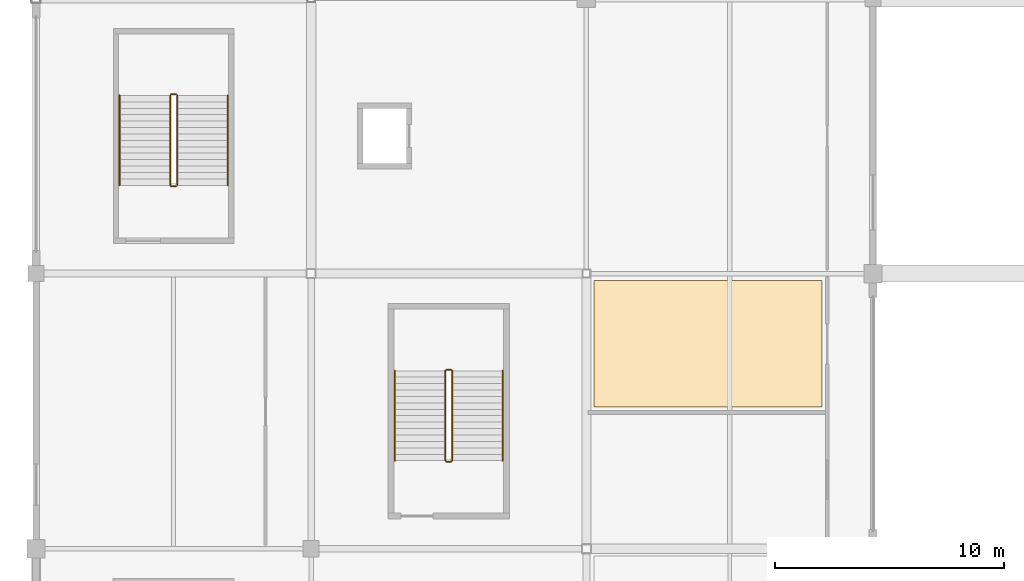
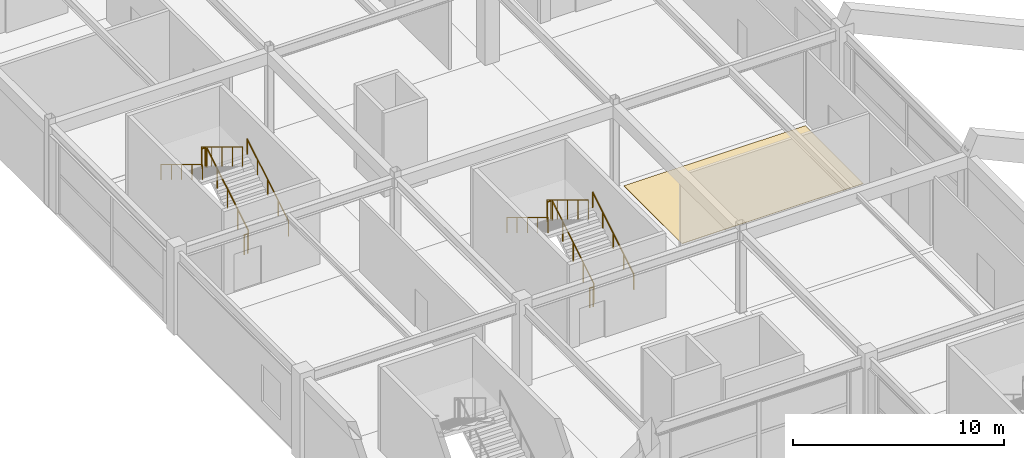
# One storey, part 106 of 128: 12 railings, 1 covering.
"""IFC4 building model written with IfcOpenShell, lengths in metres."""

from ifc_helpers import new_model, si_unit, direction, frame, origin, origin_2d, place, context, subcontext, project, spatial, polyline, circle, outline, extrude, material, layer, layer_set, type_object, element, save


model = new_model("IFC4")

# Units and contexts
model_context = context("Model", 3, precision=1e-05, world=origin(), true_north=direction((0.0, 1.0)))
body_context = subcontext(model_context, "Body", "Model", "MODEL_VIEW")
ifc_project = project(units=[si_unit("LENGTHUNIT", "METRE"), si_unit("AREAUNIT", "SQUARE_METRE"), si_unit("VOLUMEUNIT", "CUBIC_METRE"), si_unit("PLANEANGLEUNIT", "RADIAN"), si_unit("MASSUNIT", "GRAM", prefix="KILO")], contexts=[model_context])

# Site, building, storey
site_placement = place(None, origin())
site = spatial("IfcSite", under=ifc_project, at=site_placement, CompositionType="ELEMENT")
building_placement = place(site_placement, origin())
building = spatial("IfcBuilding", under=site, at=building_placement, Name="Kazenohara Klinker Stadium", CompositionType="ELEMENT")
storey_placement = place(building_placement, frame((0.0, 0.0, 15.300048828125)))
storey = spatial("IfcBuildingStorey", under=building, at=storey_placement, Name="L03", CompositionType="ELEMENT", Elevation=15.300048828125)

# Covering
ifc_material_1 = material(Name="Slip-resistant honed basalt terrazzo flooring", Category="masonry")
ifc_layer_1 = layer(ifc_material_1, 0.02001953125)
ifc_layer_set_1 = layer_set([ifc_layer_1], Name="Slip-resistant honed basalt terrazzo flooring")
covering_type = type_object("IfcCoveringType", Name="COV-FLR-01", PredefinedType="FLOORING", material=ifc_layer_set_1)
covering_placement = place(storey_placement, origin())
element("IfcCovering", 1, at=covering_placement, inside=storey, type_object=covering_type, Name="Interior floor finish FL01 Upper Concourse Hot Beverage Bistro L03-0204B", PredefinedType="FLOORING", context=body_context, shape_type="SweptSolid", body=[
    extrude(outline(polyline([(24.330078125, 54.171630859375), (34.27001953125, 54.171630859375), (34.27001953125, 59.68994140625), (24.330078125, 59.68994140625), (24.330078125, 54.171630859375)])), origin(), (0.0, 0.0, 1.0), 0.02001953125),
])

# Railings
ifc_material_2 = material(Name="Brushed stainless steel 304 handrail", Category="steel")
ifc_layer_2 = layer(ifc_material_2, 0.050048828125)
ifc_layer_set_2 = layer_set([ifc_layer_2], Name="Brushed stainless steel 304 handrail")
railing_type_1 = type_object("IfcRailingType", Name="RL-HND-900", PredefinedType="HANDRAIL", material=ifc_layer_set_2)
railing_1_placement = place(storey_placement, frame((8.360107421875, 63.85009765625, 0.169921875)))
element("IfcRailing", 2, at=railing_1_placement, inside=storey, type_object=railing_type_1, Name="L03 ST02 stair handrail 1", PredefinedType="HANDRAIL", context=body_context, shape_type="SweptSolid", body=[
    extrude(circle(Radius=0.02392578125, at=origin_2d()), frame((0.0, 0.0, 0.8759765625), z_axis=(0.0, 0.854770645689, 0.519005918337), x_axis=(-1.0, 0.0, 0.0)), (0.0, 0.0, 1.0), 4.5859375),
    extrude(circle(Radius=0.02099609375, at=origin_2d()), origin(), (0.0, 0.0, 1.0), 0.851806640625),
    extrude(circle(Radius=0.02099609375, at=origin_2d()), frame((0.0, 0.97998046875, 0.594970703125)), (0.0, 0.0, 1.0), 0.851806640625),
    extrude(circle(Radius=0.02099609375, at=origin_2d()), frame((0.0, 1.9599609375, 1.18994140625)), (0.0, 0.0, 1.0), 0.851806640625),
    extrude(circle(Radius=0.02099609375, at=origin_2d()), frame((0.0, 2.93994140625, 1.78515625)), (0.0, 0.0, 1.0), 0.851806640625),
    extrude(circle(Radius=0.02099609375, at=origin_2d()), frame((0.0, 3.919921875, 2.380126953125)), (0.0, 0.0, 1.0), 0.851806640625),
])
railing_2_placement = place(storey_placement, frame((3.639892578125, 67.77001953125, 2.719970703125)))
element("IfcRailing", 3, at=railing_2_placement, inside=storey, type_object=railing_type_1, Name="L03 ST02 stair handrail 2", PredefinedType="HANDRAIL", context=body_context, shape_type="SweptSolid", body=[
    extrude(circle(Radius=0.02392578125, at=origin_2d()), frame((0.0, 0.0, 0.8759765625), z_axis=(0.0, -0.854794262968, 0.518967020143), x_axis=(1.0, 0.0, 0.0)), (0.0, 0.0, 1.0), 4.585693359375),
    extrude(circle(Radius=0.02099609375, at=origin_2d()), origin(), (0.0, 0.0, 1.0), 0.851806640625),
    extrude(circle(Radius=0.02099609375, at=origin_2d()), frame((0.0, -0.97998046875, 0.594970703125)), (0.0, 0.0, 1.0), 0.851806640625),
    extrude(circle(Radius=0.02099609375, at=origin_2d()), frame((0.0, -1.9599609375, 1.18994140625)), (0.0, 0.0, 1.0), 0.851806640625),
    extrude(circle(Radius=0.02099609375, at=origin_2d()), frame((0.0, -2.93994140625, 1.784912109375)), (0.0, 0.0, 1.0), 0.851806640625),
    extrude(circle(Radius=0.02099609375, at=origin_2d()), frame((0.0, -3.919921875, 2.3798828125)), (0.0, 0.0, 1.0), 0.851806640625),
])
railing_3_placement = place(storey_placement, frame((20.35009765625, 51.840087890625, 0.169921875)))
element("IfcRailing", 4, at=railing_3_placement, inside=storey, type_object=railing_type_1, Name="L03 ST13 stair handrail 1", PredefinedType="HANDRAIL", context=body_context, shape_type="SweptSolid", body=[
    extrude(circle(Radius=0.02392578125, at=origin_2d()), frame((0.0, 0.0, 0.8759765625), z_axis=(0.0, 0.854770645689, 0.519005918337), x_axis=(-1.0, 0.0, 0.0)), (0.0, 0.0, 1.0), 4.5859375),
    extrude(circle(Radius=0.02099609375, at=origin_2d()), origin(), (0.0, 0.0, 1.0), 0.851806640625),
    extrude(circle(Radius=0.02099609375, at=origin_2d()), frame((0.0, 0.97998046875, 0.594970703125)), (0.0, 0.0, 1.0), 0.851806640625),
    extrude(circle(Radius=0.02099609375, at=origin_2d()), frame((0.0, 1.9599609375, 1.18994140625)), (0.0, 0.0, 1.0), 0.851806640625),
    extrude(circle(Radius=0.02099609375, at=origin_2d()), frame((0.0, 2.93994140625, 1.78515625)), (0.0, 0.0, 1.0), 0.851806640625),
    extrude(circle(Radius=0.02099609375, at=origin_2d()), frame((0.0, 3.919921875, 2.380126953125)), (0.0, 0.0, 1.0), 0.851806640625),
])
railing_4_placement = place(storey_placement, frame((15.64990234375, 55.760009765625, 2.719970703125)))
element("IfcRailing", 5, at=railing_4_placement, inside=storey, type_object=railing_type_1, Name="L03 ST13 stair handrail 2", PredefinedType="HANDRAIL", context=body_context, shape_type="SweptSolid", body=[
    extrude(circle(Radius=0.02392578125, at=origin_2d()), frame((0.0, 0.0, 0.8759765625), z_axis=(0.0, -0.854794262968, 0.518967020143), x_axis=(1.0, 0.0, 0.0)), (0.0, 0.0, 1.0), 4.585693359375),
    extrude(circle(Radius=0.02099609375, at=origin_2d()), origin(), (0.0, 0.0, 1.0), 0.851806640625),
    extrude(circle(Radius=0.02099609375, at=origin_2d()), frame((0.0, -0.97998046875, 0.594970703125)), (0.0, 0.0, 1.0), 0.851806640625),
    extrude(circle(Radius=0.02099609375, at=origin_2d()), frame((0.0, -1.9599609375, 1.18994140625)), (0.0, 0.0, 1.0), 0.851806640625),
    extrude(circle(Radius=0.02099609375, at=origin_2d()), frame((0.0, -2.93994140625, 1.784912109375)), (0.0, 0.0, 1.0), 0.851806640625),
    extrude(circle(Radius=0.02099609375, at=origin_2d()), frame((0.0, -3.919921875, 2.3798828125)), (0.0, 0.0, 1.0), 0.851806640625),
])
ifc_material_3 = material(Name="Painted steel stairwell guardrail", Category="steel")
ifc_layer_3 = layer(ifc_material_3, 0.06005859375)
ifc_layer_set_3 = layer_set([ifc_layer_3], Name="Painted steel stairwell guardrail")
railing_type_2 = type_object("IfcRailingType", Name="RL-STG-1120", PredefinedType="GUARDRAIL", material=ifc_layer_set_3)
railing_5_placement = place(storey_placement, frame((6.14990234375, 63.85009765625, 0.169921875)))
element("IfcRailing", 6, at=railing_5_placement, inside=storey, type_object=railing_type_2, Name="L03 ST02 stair guard 1", PredefinedType="GUARDRAIL", context=body_context, shape_type="SweptSolid", body=[
    extrude(circle(Radius=0.02392578125, at=origin_2d()), frame((0.0, 0.0, 1.1259765625), z_axis=(0.0, 0.854770645689, 0.519005918337), x_axis=(-1.0, 0.0, 0.0)), (0.0, 0.0, 1.0), 4.5859375),
    extrude(circle(Radius=0.02099609375, at=origin_2d()), origin(), (0.0, 0.0, 1.0), 1.101806640625),
    extrude(circle(Radius=0.02099609375, at=origin_2d()), frame((0.0, 0.97998046875, 0.594970703125)), (0.0, 0.0, 1.0), 1.101806640625),
    extrude(circle(Radius=0.02099609375, at=origin_2d()), frame((0.0, 1.9599609375, 1.18994140625)), (0.0, 0.0, 1.0), 1.101806640625),
    extrude(circle(Radius=0.02099609375, at=origin_2d()), frame((0.0, 2.93994140625, 1.78515625)), (0.0, 0.0, 1.0), 1.101806640625),
    extrude(circle(Radius=0.02099609375, at=origin_2d()), frame((0.0, 3.919921875, 2.380126953125)), (0.0, 0.0, 1.0), 1.101806640625),
])
railing_6_placement = place(storey_placement, frame((6.10009765625, 67.820068359375, 2.550048828125)))
element("IfcRailing", 7, at=railing_6_placement, inside=storey, type_object=railing_type_2, Name="L03 ST02 stair guard 2", PredefinedType="GUARDRAIL", context=body_context, shape_type="SweptSolid", body=[
    extrude(circle(Radius=0.02392578125, at=origin_2d()), frame((0.0, 0.0, 1.1259765625), z_axis=(-1.0, 0.0, 0.0), x_axis=(0.0, -1.0, 0.0)), (0.0, 0.0, 1.0), 0.2001953125),
    extrude(circle(Radius=0.02099609375, at=origin_2d()), origin(), (0.0, 0.0, 1.0), 1.101806640625),
    extrude(circle(Radius=0.02099609375, at=origin_2d()), frame((-0.2001953125, 0.0, 0.0)), (0.0, 0.0, 1.0), 1.101806640625),
])
railing_7_placement = place(storey_placement, frame((5.85009765625, 67.77001953125, 2.719970703125)))
element("IfcRailing", 8, at=railing_7_placement, inside=storey, type_object=railing_type_2, Name="L03 ST02 stair guard 3", PredefinedType="GUARDRAIL", context=body_context, shape_type="SweptSolid", body=[
    extrude(circle(Radius=0.02392578125, at=origin_2d()), frame((0.0, 0.0, 1.1259765625), z_axis=(0.0, -0.854794262968, 0.518967020143), x_axis=(1.0, 0.0, 0.0)), (0.0, 0.0, 1.0), 4.585693359375),
    extrude(circle(Radius=0.02099609375, at=origin_2d()), origin(), (0.0, 0.0, 1.0), 1.101806640625),
    extrude(circle(Radius=0.02099609375, at=origin_2d()), frame((0.0, -0.97998046875, 0.594970703125)), (0.0, 0.0, 1.0), 1.101806640625),
    extrude(circle(Radius=0.02099609375, at=origin_2d()), frame((0.0, -1.9599609375, 1.18994140625)), (0.0, 0.0, 1.0), 1.101806640625),
    extrude(circle(Radius=0.02099609375, at=origin_2d()), frame((0.0, -2.93994140625, 1.784912109375)), (0.0, 0.0, 1.0), 1.101806640625),
    extrude(circle(Radius=0.02099609375, at=origin_2d()), frame((0.0, -3.919921875, 2.3798828125)), (0.0, 0.0, 1.0), 1.101806640625),
])
railing_8_placement = place(storey_placement, frame((6.10009765625, 63.800048828125, 0.0)))
element("IfcRailing", 9, at=railing_8_placement, inside=storey, type_object=railing_type_2, Name="L03 ST02 stair guard 4", PredefinedType="GUARDRAIL", context=body_context, shape_type="SweptSolid", body=[
    extrude(circle(Radius=0.02392578125, at=origin_2d()), frame((0.0, 0.0, 1.1259765625), z_axis=(-1.0, 0.0, 0.0), x_axis=(0.0, -1.0, 0.0)), (0.0, 0.0, 1.0), 0.2001953125),
    extrude(circle(Radius=0.02099609375, at=origin_2d()), origin(), (0.0, 0.0, 1.0), 1.101806640625),
    extrude(circle(Radius=0.02099609375, at=origin_2d()), frame((-0.2001953125, 0.0, 0.0)), (0.0, 0.0, 1.0), 1.101806640625),
])
railing_9_placement = place(storey_placement, frame((18.14990234375, 51.840087890625, 0.169921875)))
element("IfcRailing", 10, at=railing_9_placement, inside=storey, type_object=railing_type_2, Name="L03 ST13 stair guard 1", PredefinedType="GUARDRAIL", context=body_context, shape_type="SweptSolid", body=[
    extrude(circle(Radius=0.02392578125, at=origin_2d()), frame((0.0, 0.0, 1.1259765625), z_axis=(0.0, 0.854770645689, 0.519005918337), x_axis=(-1.0, 0.0, 0.0)), (0.0, 0.0, 1.0), 4.5859375),
    extrude(circle(Radius=0.02099609375, at=origin_2d()), origin(), (0.0, 0.0, 1.0), 1.101806640625),
    extrude(circle(Radius=0.02099609375, at=origin_2d()), frame((0.0, 0.97998046875, 0.594970703125)), (0.0, 0.0, 1.0), 1.101806640625),
    extrude(circle(Radius=0.02099609375, at=origin_2d()), frame((0.0, 1.9599609375, 1.18994140625)), (0.0, 0.0, 1.0), 1.101806640625),
    extrude(circle(Radius=0.02099609375, at=origin_2d()), frame((0.0, 2.93994140625, 1.78515625)), (0.0, 0.0, 1.0), 1.101806640625),
    extrude(circle(Radius=0.02099609375, at=origin_2d()), frame((0.0, 3.919921875, 2.380126953125)), (0.0, 0.0, 1.0), 1.101806640625),
])
railing_10_placement = place(storey_placement, frame((18.10009765625, 55.81005859375, 2.550048828125)))
element("IfcRailing", 11, at=railing_10_placement, inside=storey, type_object=railing_type_2, Name="L03 ST13 stair guard 2", PredefinedType="GUARDRAIL", context=body_context, shape_type="SweptSolid", body=[
    extrude(circle(Radius=0.02392578125, at=origin_2d()), frame((0.0, 0.0, 1.1259765625), z_axis=(-1.0, 0.0, 0.0), x_axis=(0.0, -1.0, 0.0)), (0.0, 0.0, 1.0), 0.2001953125),
    extrude(circle(Radius=0.02099609375, at=origin_2d()), origin(), (0.0, 0.0, 1.0), 1.101806640625),
    extrude(circle(Radius=0.02099609375, at=origin_2d()), frame((-0.2001953125, 0.0, 0.0)), (0.0, 0.0, 1.0), 1.101806640625),
])
railing_11_placement = place(storey_placement, frame((17.85009765625, 55.760009765625, 2.719970703125)))
element("IfcRailing", 12, at=railing_11_placement, inside=storey, type_object=railing_type_2, Name="L03 ST13 stair guard 3", PredefinedType="GUARDRAIL", context=body_context, shape_type="SweptSolid", body=[
    extrude(circle(Radius=0.02392578125, at=origin_2d()), frame((0.0, 0.0, 1.1259765625), z_axis=(0.0, -0.854794262968, 0.518967020143), x_axis=(1.0, 0.0, 0.0)), (0.0, 0.0, 1.0), 4.585693359375),
    extrude(circle(Radius=0.02099609375, at=origin_2d()), origin(), (0.0, 0.0, 1.0), 1.101806640625),
    extrude(circle(Radius=0.02099609375, at=origin_2d()), frame((0.0, -0.97998046875, 0.594970703125)), (0.0, 0.0, 1.0), 1.101806640625),
    extrude(circle(Radius=0.02099609375, at=origin_2d()), frame((0.0, -1.9599609375, 1.18994140625)), (0.0, 0.0, 1.0), 1.101806640625),
    extrude(circle(Radius=0.02099609375, at=origin_2d()), frame((0.0, -2.93994140625, 1.784912109375)), (0.0, 0.0, 1.0), 1.101806640625),
    extrude(circle(Radius=0.02099609375, at=origin_2d()), frame((0.0, -3.919921875, 2.3798828125)), (0.0, 0.0, 1.0), 1.101806640625),
])
railing_12_placement = place(storey_placement, frame((18.10009765625, 51.7900390625, 0.0)))
element("IfcRailing", 13, at=railing_12_placement, inside=storey, type_object=railing_type_2, Name="L03 ST13 stair guard 4", PredefinedType="GUARDRAIL", context=body_context, shape_type="SweptSolid", body=[
    extrude(circle(Radius=0.02392578125, at=origin_2d()), frame((0.0, 0.0, 1.1259765625), z_axis=(-1.0, 0.0, 0.0), x_axis=(0.0, -1.0, 0.0)), (0.0, 0.0, 1.0), 0.2001953125),
    extrude(circle(Radius=0.02099609375, at=origin_2d()), origin(), (0.0, 0.0, 1.0), 1.101806640625),
    extrude(circle(Radius=0.02099609375, at=origin_2d()), frame((-0.2001953125, 0.0, 0.0)), (0.0, 0.0, 1.0), 1.101806640625),
])

save(model, "model.ifc")
